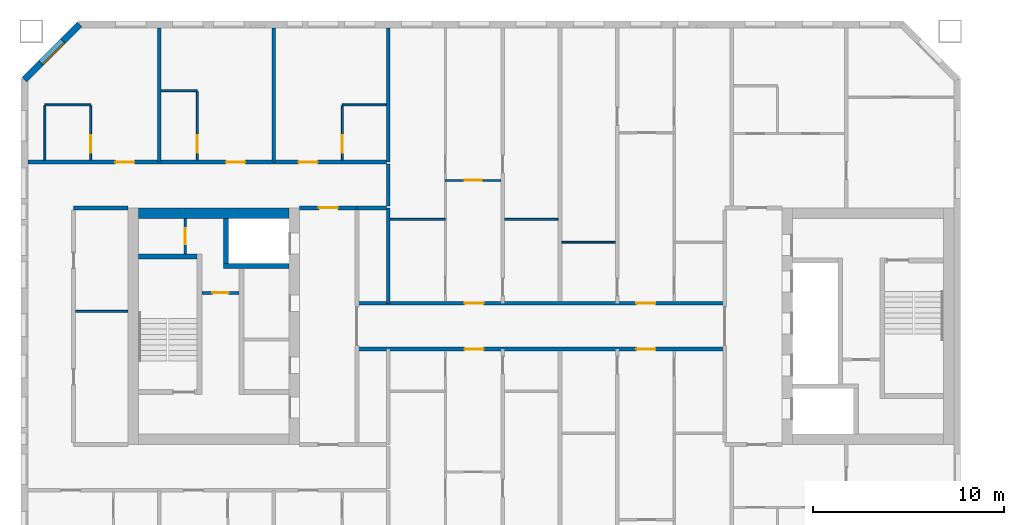
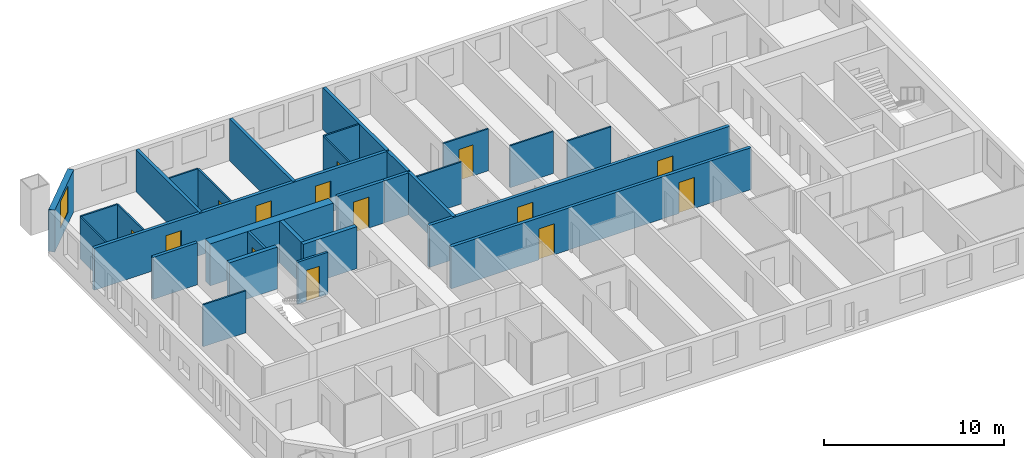
# One storey, part 5 of 16: 30 walls, 14 doors, 1 window, 15 openings.
"""IFC4 building model written with IfcOpenShell, lengths in metres."""

from ifc_helpers import new_model, si_unit, direction, frame, frame_2d, origin, place, context, subcontext, project, spatial, rectangle, extrude, material, layer, layer_set, type_object, element, fill, save


model = new_model("IFC4")

# Units and contexts
model_context = context("Model", 3, precision=1e-05, world=origin(), true_north=direction((0.0, 1.0)))
body_context = subcontext(model_context, "Body", "Model", "MODEL_VIEW")
ifc_project = project(units=[si_unit("LENGTHUNIT", "METRE"), si_unit("AREAUNIT", "SQUARE_METRE"), si_unit("VOLUMEUNIT", "CUBIC_METRE"), si_unit("PLANEANGLEUNIT", "RADIAN"), si_unit("MASSUNIT", "GRAM", prefix="KILO")], contexts=[model_context])

# Site, building, storey
site_placement = place(None, origin())
site = spatial("IfcSite", under=ifc_project, at=site_placement, CompositionType="ELEMENT")
building_placement = place(site_placement, origin())
building = spatial("IfcBuilding", under=site, at=building_placement, Name="Tuart Gate Housing", CompositionType="ELEMENT")
storey_placement = place(building_placement, frame((0.0, 0.0, 129.89990234375)))
storey = spatial("IfcBuildingStorey", under=building, at=storey_placement, Name="L36", CompositionType="ELEMENT", Elevation=129.89990234375)

# Wall, opening, window
ifc_material_1 = material(Name="Brick", Category="masonry")
ifc_layer_1 = layer(ifc_material_1, 0.360107421875)
ifc_layer_set_1 = layer_set([ifc_layer_1], Name="Brick pier and spandrel wall 360")
wall_type_1 = type_object("IfcWallType", Name="Brick pier and spandrel wall 360", PredefinedType="STANDARD", material=ifc_layer_set_1)
wall_1_placement = place(storey_placement, frame((29.82470703125, 85.820068359375, 0.0), z_axis=(0.0, 0.0, 1.0), x_axis=(-0.707106781187, -0.707106781187, 0.0)))
wall_1 = element("IfcWall", 1, at=wall_1_placement, inside=storey, type_object=wall_type_1, Name="External wall A-NW L36", PredefinedType="STANDARD", context=body_context, shape_type="SweptSolid", body=[
    extrude(rectangle(XDim=4.09375, YDim=0.360107421875, at=frame_2d((2.046875, 0.0))), origin(), (0.0, 0.0, 1.0), 2.85009765625),
])
opening_1_placement = place(wall_1_placement, frame((1.2470703125, 0.0, 0.800048828125)))
opening_1 = element("IfcOpeningElement", 2, at=opening_1_placement, cuts=wall_1, Name="Opening W1", PredefinedType="OPENING", context=body_context, shape_type="SweptSolid", body=[
    extrude(rectangle(XDim=1.60009765625, YDim=1.800048828125, at=frame_2d((0.800048828125, 0.89990234375))), frame((0.0, 0.18994140625, 0.0), z_axis=(0.0, -1.0, 0.0), x_axis=(1.0, 0.0, 0.0)), (0.0, 0.0, 1.0), 0.380126953125),
])
ifc_material_2 = material(Name="Aluminium frame with clear glass", Category="aluminium")
window_type = type_object("IfcWindowType", Name="Punched window 1600 x 1800", PartitioningType="SINGLE_PANEL", PredefinedType="WINDOW", material=ifc_material_2)
window_placement = place(opening_1_placement, origin())
window = element("IfcWindow", 3, at=window_placement, inside=storey, type_object=window_type, Name="Window W1", OverallHeight=1.800048828125, OverallWidth=1.60009765625, PartitioningType="SINGLE_PANEL", PredefinedType="WINDOW", context=body_context, shape_type="SweptSolid", body=[
    extrude(rectangle(XDim=1.60009765625, YDim=1.800048828125, at=frame_2d((0.800048828125, 0.89990234375))), frame((0.0, 0.150146484375, 0.0), z_axis=(0.0, -1.0, 0.0), x_axis=(1.0, 0.0, 0.0)), (0.0, 0.0, 1.0), 0.06005859375),
])
fill(opening_1, window)

# Wall, opening, door
ifc_material_3 = material(Name="Plasterboard partition")
ifc_layer_2 = layer(ifc_material_3, 0.14990234375)
ifc_layer_set_2 = layer_set([ifc_layer_2], Name="Core partition 150")
wall_type_2 = type_object("IfcWallType", Name="Core partition 150", PredefinedType="PARTITIONING", material=ifc_layer_set_2)
wall_2_placement = place(storey_placement, frame((38.18505859375, 71.75, 0.0), z_axis=(0.0, 0.0, 1.0), x_axis=(-1.0, 0.0, 0.0)))
wall_2 = element("IfcWall", 4, at=wall_2_placement, inside=storey, type_object=wall_type_2, Name="Core partition AK.3", PredefinedType="PARTITIONING", context=body_context, shape_type="SweptSolid", body=[
    extrude(rectangle(XDim=1.949951171875, YDim=0.14990234375, at=frame_2d((0.97509765625, 0.0))), origin(), (0.0, 0.0, 1.0), 2.85009765625),
])
opening_2_placement = place(wall_2_placement, frame((0.550048828125, 0.0, 0.0)))
opening_2 = element("IfcOpeningElement", 5, at=opening_2_placement, cuts=wall_2, Name="Opening D1314", PredefinedType="OPENING", context=body_context, shape_type="SweptSolid", body=[
    extrude(rectangle(XDim=0.85009765625, YDim=2.10009765625, at=frame_2d((0.425048828125, 1.050048828125))), frame((0.0, 0.0849609375, 0.0), z_axis=(0.0, -1.0, 0.0), x_axis=(1.0, 0.0, 0.0)), (0.0, 0.0, 1.0), 0.169921875),
])
ifc_material_4 = material(Name="Steel fire door", Category="steel")
door_type_1 = type_object("IfcDoorType", Name="Riser door 850 x 2100 RH", OperationType="SINGLE_SWING_RIGHT", PredefinedType="DOOR", material=ifc_material_4)
door_1_placement = place(opening_2_placement, frame((0.85009765625, 0.0, 0.0), z_axis=(0.0, 0.0, 1.0), x_axis=(-1.0, 0.0, 0.0)))
door_1 = element("IfcDoor", 6, at=door_1_placement, inside=storey, type_object=door_type_1, Name="Service room door AK.E1", OperationType="SINGLE_SWING_RIGHT", OverallHeight=2.10009765625, OverallWidth=0.85009765625, PredefinedType="DOOR", context=body_context, shape_type="SweptSolid", body=[
    extrude(rectangle(XDim=0.85009765625, YDim=2.10009765625, at=frame_2d((0.425048828125, 1.050048828125))), frame((0.0, 0.025146484375, 0.0), z_axis=(0.0, -1.0, 0.0), x_axis=(1.0, 0.0, 0.0)), (0.0, 0.0, 1.0), 0.050048828125),
])
fill(opening_2, door_1)

wall_3_placement = place(storey_placement, frame((35.360107421875, 75.64990234375, 0.0), z_axis=(0.0, 0.0, 1.0), x_axis=(0.0, -1.0, 0.0)))
wall_3 = element("IfcWall", 7, at=wall_3_placement, inside=storey, type_object=wall_type_2, Name="Core partition AK.10", PredefinedType="PARTITIONING", context=body_context, shape_type="SweptSolid", body=[
    extrude(rectangle(XDim=1.875, YDim=0.14990234375, at=frame_2d((0.9375, 0.0))), origin(), (0.0, 0.0, 1.0), 2.85009765625),
])
opening_3_placement = place(wall_3_placement, frame((0.512451171875, 0.0, 0.0)))
opening_3 = element("IfcOpeningElement", 8, at=opening_3_placement, cuts=wall_3, Name="Opening D1312", PredefinedType="OPENING", context=body_context, shape_type="SweptSolid", body=[
    extrude(rectangle(XDim=0.85009765625, YDim=2.10009765625, at=frame_2d((0.425048828125, 1.050048828125))), frame((0.0, 0.0849609375, 0.0), z_axis=(0.0, -1.0, 0.0), x_axis=(1.0, 0.0, 0.0)), (0.0, 0.0, 1.0), 0.169921875),
])
ifc_material_5 = material(Name="Steel fire door", Category="steel")
door_type_2 = type_object("IfcDoorType", Name="Service door 850 x 2100", OperationType="SINGLE_SWING_LEFT", PredefinedType="DOOR", material=ifc_material_5)
door_2_placement = place(opening_3_placement, origin())
door_2 = element("IfcDoor", 9, at=door_2_placement, inside=storey, type_object=door_type_2, Name="Service room door AK.E2", OperationType="SINGLE_SWING_LEFT", OverallHeight=2.10009765625, OverallWidth=0.85009765625, PredefinedType="DOOR", context=body_context, shape_type="SweptSolid", body=[
    extrude(rectangle(XDim=0.85009765625, YDim=2.10009765625, at=frame_2d((0.425048828125, 1.050048828125))), frame((0.0, 0.02490234375, 0.0), z_axis=(0.0, -1.0, 0.0), x_axis=(1.0, 0.0, 0.0)), (0.0, 0.0, 1.0), 0.050048828125),
])
fill(opening_3, door_2)

# Walls
ifc_material_6 = material(Name="Concrete C50", Category="concrete")
ifc_layer_3 = layer(ifc_material_6, 0.25)
ifc_layer_set_3 = layer_set([ifc_layer_3], Name="Core wall 250 C50")
wall_type_3 = type_object("IfcWallType", Name="Core wall 250 C50", PredefinedType="SHEAR", material=ifc_layer_set_3)
wall_4_placement = place(storey_placement, frame((35.985107421875, 73.64990234375, 0.0), z_axis=(0.0, 0.0, 1.0), x_axis=(-1.0, 0.0, 0.0)))
element("IfcWall", 10, at=wall_4_placement, inside=storey, type_object=wall_type_3, Name="Core wall AK.1", PredefinedType="SHEAR", context=body_context, shape_type="SweptSolid", body=[
    extrude(rectangle(XDim=3.0751953125, YDim=0.25, at=frame_2d((1.53759765625, 0.0))), origin(), (0.0, 0.0, 1.0), 2.85009765625),
])
wall_5_placement = place(storey_placement, frame((40.81005859375, 73.14990234375, 0.0), z_axis=(0.0, 0.0, 1.0), x_axis=(-1.0, 0.0, 0.0)))
element("IfcWall", 11, at=wall_5_placement, inside=storey, type_object=wall_type_3, Name="Core wall AK.2", PredefinedType="SHEAR", context=body_context, shape_type="SweptSolid", body=[
    extrude(rectangle(XDim=3.445068359375, YDim=0.25, at=frame_2d((1.72265625, 0.0))), origin(), (0.0, 0.0, 1.0), 2.85009765625),
])
wall_6_placement = place(storey_placement, frame((37.489990234375, 75.64990234375, 0.0), z_axis=(0.0, 0.0, 1.0), x_axis=(0.0, -1.0, 0.0)))
element("IfcWall", 12, at=wall_6_placement, inside=storey, type_object=wall_type_3, Name="Core wall AK.8", PredefinedType="SHEAR", context=body_context, shape_type="SweptSolid", body=[
    extrude(rectangle(XDim=2.375, YDim=0.25, at=frame_2d((1.1875, 0.0))), origin(), (0.0, 0.0, 1.0), 2.85009765625),
])
ifc_material_7 = material(Name="Concrete C50", Category="concrete")
ifc_layer_4 = layer(ifc_material_7, 0.550048828125)
ifc_layer_set_4 = layer_set([ifc_layer_4], Name="Core wall 550 C50")
wall_type_4 = type_object("IfcWallType", Name="Core wall 550 C50", PredefinedType="SHEAR", material=ifc_layer_set_4)
wall_7_placement = place(storey_placement, frame((40.81005859375, 75.925048828125, 0.0), z_axis=(0.0, 0.0, 1.0), x_axis=(-1.0, 0.0, 0.0)))
element("IfcWall", 13, at=wall_7_placement, inside=storey, type_object=wall_type_4, Name="Core wall AK south", PredefinedType="SHEAR", context=body_context, shape_type="SweptSolid", body=[
    extrude(rectangle(XDim=7.900146484375, YDim=0.550048828125, at=frame_2d((3.9501953125, 0.0))), origin(), (0.0, 0.0, 1.0), 2.85009765625),
])

# Wall, openings, doors
ifc_material_8 = material(Name="Concrete masonry 15 MPa", Category="masonry")
ifc_layer_5 = layer(ifc_material_8, 0.199951171875)
ifc_layer_set_5 = layer_set([ifc_layer_5], Name="Corridor wall masonry 200")
wall_type_5 = type_object("IfcWallType", Name="Corridor wall masonry 200", PredefinedType="PARTITIONING", material=ifc_layer_set_5)
wall_8_placement = place(storey_placement, frame((44.360107421875, 68.800048828125, 0.0), z_axis=(0.0, 0.0, 1.0), x_axis=(1.0, 0.0, 0.0)))
wall_8 = element("IfcWall", 14, at=wall_8_placement, inside=storey, type_object=wall_type_5, Name="Corridor wall masonry 200", PredefinedType="PARTITIONING", context=body_context, shape_type="SweptSolid", body=[
    extrude(rectangle(XDim=19.27978515625, YDim=0.199951171875, at=frame_2d((9.639892578125, 0.0))), origin(), (0.0, 0.0, 1.0), 2.85009765625),
])
opening_4_placement = place(wall_8_placement, frame((14.639892578125, 0.0, 0.0)))
opening_4 = element("IfcOpeningElement", 15, at=opening_4_placement, cuts=wall_8, Name="Opening D1325", PredefinedType="OPENING", context=body_context, shape_type="SweptSolid", body=[
    extrude(rectangle(XDim=1.0, YDim=2.10009765625, at=frame_2d((0.5, 1.050048828125))), frame((0.0, 0.10986328125, 0.0), z_axis=(0.0, -1.0, 0.0), x_axis=(1.0, 0.0, 0.0)), (0.0, 0.0, 1.0), 0.219970703125),
])
opening_5_placement = place(wall_8_placement, frame((5.639892578125, 0.0, 0.0)))
opening_5 = element("IfcOpeningElement", 16, at=opening_5_placement, cuts=wall_8, Name="Opening D1326", PredefinedType="OPENING", context=body_context, shape_type="SweptSolid", body=[
    extrude(rectangle(XDim=1.0, YDim=2.10009765625, at=frame_2d((0.5, 1.050048828125))), frame((0.0, 0.10986328125, 0.0), z_axis=(0.0, -1.0, 0.0), x_axis=(1.0, 0.0, 0.0)), (0.0, 0.0, 1.0), 0.219970703125),
])
ifc_material_9 = material(Name="Timber door leaf in steel frame", Category="steel")
door_type_3 = type_object("IfcDoorType", Name="Flat entrance door 1000 RH", OperationType="SINGLE_SWING_RIGHT", PredefinedType="DOOR", material=ifc_material_9)
door_3_placement = place(opening_4_placement, frame((1.0, 0.0, 0.0), z_axis=(0.0, 0.0, 1.0), x_axis=(-1.0, 0.0, 0.0)))
door_3 = element("IfcDoor", 17, at=door_3_placement, inside=storey, type_object=door_type_3, Name="Flat entrance door", OperationType="SINGLE_SWING_RIGHT", OverallHeight=2.10009765625, OverallWidth=1.0, PredefinedType="DOOR", context=body_context, shape_type="SweptSolid", body=[
    extrude(rectangle(XDim=1.0, YDim=2.10009765625, at=frame_2d((0.5, 1.050048828125))), frame((0.0, 0.025146484375, 0.0), z_axis=(0.0, -1.0, 0.0), x_axis=(1.0, 0.0, 0.0)), (0.0, 0.0, 1.0), 0.050048828125),
])
fill(opening_4, door_3)
door_4_placement = place(opening_5_placement, frame((1.0, 0.0, 0.0), z_axis=(0.0, 0.0, 1.0), x_axis=(-1.0, 0.0, 0.0)))
door_4 = element("IfcDoor", 18, at=door_4_placement, inside=storey, type_object=door_type_3, Name="Flat entrance door", OperationType="SINGLE_SWING_RIGHT", OverallHeight=2.10009765625, OverallWidth=1.0, PredefinedType="DOOR", context=body_context, shape_type="SweptSolid", body=[
    extrude(rectangle(XDim=1.0, YDim=2.10009765625, at=frame_2d((0.5, 1.050048828125))), frame((0.0, 0.025146484375, 0.0), z_axis=(0.0, -1.0, 0.0), x_axis=(1.0, 0.0, 0.0)), (0.0, 0.0, 1.0), 0.050048828125),
])
fill(opening_5, door_4)

wall_9_placement = place(storey_placement, frame((44.360107421875, 71.199951171875, 0.0), z_axis=(0.0, 0.0, 1.0), x_axis=(1.0, 0.0, 0.0)))
wall_9 = element("IfcWall", 19, at=wall_9_placement, inside=storey, type_object=wall_type_5, Name="Corridor wall masonry 200", PredefinedType="PARTITIONING", context=body_context, shape_type="SweptSolid", body=[
    extrude(rectangle(XDim=19.27978515625, YDim=0.199951171875, at=frame_2d((9.639892578125, 0.0))), origin(), (0.0, 0.0, 1.0), 2.85009765625),
])
opening_6_placement = place(wall_9_placement, frame((14.639892578125, 0.0, 0.0)))
opening_6 = element("IfcOpeningElement", 20, at=opening_6_placement, cuts=wall_9, Name="Opening D1315", PredefinedType="OPENING", context=body_context, shape_type="SweptSolid", body=[
    extrude(rectangle(XDim=1.0, YDim=2.10009765625, at=frame_2d((0.5, 1.050048828125))), frame((0.0, 0.10986328125, 0.0), z_axis=(0.0, -1.0, 0.0), x_axis=(1.0, 0.0, 0.0)), (0.0, 0.0, 1.0), 0.219970703125),
])
opening_7_placement = place(wall_9_placement, frame((5.639892578125, 0.0, 0.0)))
opening_7 = element("IfcOpeningElement", 21, at=opening_7_placement, cuts=wall_9, Name="Opening D1316", PredefinedType="OPENING", context=body_context, shape_type="SweptSolid", body=[
    extrude(rectangle(XDim=1.0, YDim=2.10009765625, at=frame_2d((0.5, 1.050048828125))), frame((0.0, 0.10986328125, 0.0), z_axis=(0.0, -1.0, 0.0), x_axis=(1.0, 0.0, 0.0)), (0.0, 0.0, 1.0), 0.219970703125),
])
ifc_material_10 = material(Name="Timber door leaf in steel frame", Category="steel")
door_type_4 = type_object("IfcDoorType", Name="Flat entrance door 1000", OperationType="SINGLE_SWING_LEFT", PredefinedType="DOOR", material=ifc_material_10)
door_5_placement = place(opening_6_placement, origin())
door_5 = element("IfcDoor", 22, at=door_5_placement, inside=storey, type_object=door_type_4, Name="Flat entrance door", OperationType="SINGLE_SWING_LEFT", OverallHeight=2.10009765625, OverallWidth=1.0, PredefinedType="DOOR", context=body_context, shape_type="SweptSolid", body=[
    extrude(rectangle(XDim=1.0, YDim=2.10009765625, at=frame_2d((0.5, 1.050048828125))), frame((0.0, 0.02490234375, 0.0), z_axis=(0.0, -1.0, 0.0), x_axis=(1.0, 0.0, 0.0)), (0.0, 0.0, 1.0), 0.050048828125),
])
fill(opening_6, door_5)
door_6_placement = place(opening_7_placement, origin())
door_6 = element("IfcDoor", 23, at=door_6_placement, inside=storey, type_object=door_type_4, Name="Flat entrance door", OperationType="SINGLE_SWING_LEFT", OverallHeight=2.10009765625, OverallWidth=1.0, PredefinedType="DOOR", context=body_context, shape_type="SweptSolid", body=[
    extrude(rectangle(XDim=1.0, YDim=2.10009765625, at=frame_2d((0.5, 1.050048828125))), frame((0.0, 0.02490234375, 0.0), z_axis=(0.0, -1.0, 0.0), x_axis=(1.0, 0.0, 0.0)), (0.0, 0.0, 1.0), 0.050048828125),
])
fill(opening_7, door_6)

# Walls
wall_10_placement = place(storey_placement, frame((29.510009765625, 76.199951171875, 0.0), z_axis=(0.0, 0.0, 1.0), x_axis=(1.0, 0.0, 0.0)))
element("IfcWall", 24, at=wall_10_placement, inside=storey, type_object=wall_type_5, Name="Corridor wall masonry 200", PredefinedType="PARTITIONING", context=body_context, shape_type="SweptSolid", body=[
    extrude(rectangle(XDim=2.85009765625, YDim=0.199951171875, at=frame_2d((1.425048828125, 0.0))), origin(), (0.0, 0.0, 1.0), 2.85009765625),
])
wall_11_placement = place(storey_placement, frame((44.360107421875, 76.199951171875, 0.0), z_axis=(0.0, 0.0, 1.0), x_axis=(1.0, 0.0, 0.0)))
element("IfcWall", 25, at=wall_11_placement, inside=storey, type_object=wall_type_5, Name="Corridor wall masonry 200", PredefinedType="PARTITIONING", context=body_context, shape_type="SweptSolid", body=[
    extrude(rectangle(XDim=1.539794921875, YDim=0.199951171875, at=frame_2d((0.77001953125, 0.0))), origin(), (0.0, 0.0, 1.0), 2.85009765625),
])

# Wall, openings, doors
wall_12_placement = place(storey_placement, frame((27.110107421875, 78.60009765625, 0.0), z_axis=(0.0, 0.0, 1.0), x_axis=(1.0, 0.0, 0.0)))
wall_12 = element("IfcWall", 26, at=wall_12_placement, inside=storey, type_object=wall_type_5, Name="Corridor wall masonry 200", PredefinedType="PARTITIONING", context=body_context, shape_type="SweptSolid", body=[
    extrude(rectangle(XDim=18.789794921875, YDim=0.199951171875, at=frame_2d((9.39501953125, 0.0))), origin(), (0.0, 0.0, 1.0), 2.85009765625),
])
opening_8_placement = place(wall_12_placement, frame((14.18994140625, 0.0, 0.0)))
opening_8 = element("IfcOpeningElement", 27, at=opening_8_placement, cuts=wall_12, Name="Opening D1298", PredefinedType="OPENING", context=body_context, shape_type="SweptSolid", body=[
    extrude(rectangle(XDim=1.0, YDim=2.10009765625, at=frame_2d((0.5, 1.050048828125))), frame((0.0, 0.10986328125, 0.0), z_axis=(0.0, -1.0, 0.0), x_axis=(1.0, 0.0, 0.0)), (0.0, 0.0, 1.0), 0.219970703125),
])
opening_9_placement = place(wall_12_placement, frame((10.389892578125, 0.0, 0.0)))
opening_9 = element("IfcOpeningElement", 28, at=opening_9_placement, cuts=wall_12, Name="Opening D1299", PredefinedType="OPENING", context=body_context, shape_type="SweptSolid", body=[
    extrude(rectangle(XDim=1.0, YDim=2.10009765625, at=frame_2d((0.5, 1.050048828125))), frame((0.0, 0.10986328125, 0.0), z_axis=(0.0, -1.0, 0.0), x_axis=(1.0, 0.0, 0.0)), (0.0, 0.0, 1.0), 0.219970703125),
])
opening_10_placement = place(wall_12_placement, frame((4.590087890625, 0.0, 0.0)))
opening_10 = element("IfcOpeningElement", 29, at=opening_10_placement, cuts=wall_12, Name="Opening D1300", PredefinedType="OPENING", context=body_context, shape_type="SweptSolid", body=[
    extrude(rectangle(XDim=1.0, YDim=2.10009765625, at=frame_2d((0.5, 1.050048828125))), frame((0.0, 0.10986328125, 0.0), z_axis=(0.0, -1.0, 0.0), x_axis=(1.0, 0.0, 0.0)), (0.0, 0.0, 1.0), 0.219970703125),
])
door_7_placement = place(opening_8_placement, origin())
door_7 = element("IfcDoor", 30, at=door_7_placement, inside=storey, type_object=door_type_4, Name="Flat entrance door", OperationType="SINGLE_SWING_LEFT", OverallHeight=2.10009765625, OverallWidth=1.0, PredefinedType="DOOR", context=body_context, shape_type="SweptSolid", body=[
    extrude(rectangle(XDim=1.0, YDim=2.10009765625, at=frame_2d((0.5, 1.050048828125))), frame((0.0, 0.02490234375, 0.0), z_axis=(0.0, -1.0, 0.0), x_axis=(1.0, 0.0, 0.0)), (0.0, 0.0, 1.0), 0.050048828125),
])
fill(opening_8, door_7)
door_8_placement = place(opening_9_placement, origin())
door_8 = element("IfcDoor", 31, at=door_8_placement, inside=storey, type_object=door_type_4, Name="Flat entrance door", OperationType="SINGLE_SWING_LEFT", OverallHeight=2.10009765625, OverallWidth=1.0, PredefinedType="DOOR", context=body_context, shape_type="SweptSolid", body=[
    extrude(rectangle(XDim=1.0, YDim=2.10009765625, at=frame_2d((0.5, 1.050048828125))), frame((0.0, 0.02490234375, 0.0), z_axis=(0.0, -1.0, 0.0), x_axis=(1.0, 0.0, 0.0)), (0.0, 0.0, 1.0), 0.050048828125),
])
fill(opening_9, door_8)
door_9_placement = place(opening_10_placement, origin())
door_9 = element("IfcDoor", 32, at=door_9_placement, inside=storey, type_object=door_type_4, Name="Flat entrance door", OperationType="SINGLE_SWING_LEFT", OverallHeight=2.10009765625, OverallWidth=1.0, PredefinedType="DOOR", context=body_context, shape_type="SweptSolid", body=[
    extrude(rectangle(XDim=1.0, YDim=2.10009765625, at=frame_2d((0.5, 1.050048828125))), frame((0.0, 0.02490234375, 0.0), z_axis=(0.0, -1.0, 0.0), x_axis=(1.0, 0.0, 0.0)), (0.0, 0.0, 1.0), 0.050048828125),
])
fill(opening_10, door_9)

# Wall
wall_13_placement = place(storey_placement, frame((46.0, 76.300048828125, 0.0), z_axis=(0.0, 0.0, 1.0), x_axis=(0.0, 1.0, 0.0)))
element("IfcWall", 33, at=wall_13_placement, inside=storey, type_object=wall_type_5, Name="Corridor wall masonry 200", PredefinedType="PARTITIONING", context=body_context, shape_type="SweptSolid", body=[
    extrude(rectangle(XDim=2.199951171875, YDim=0.199951171875, at=frame_2d((1.10009765625, 0.0))), origin(), (0.0, 0.0, 1.0), 2.85009765625),
])

# Wall, opening, door
ifc_material_11 = material(Name="Concrete masonry 15 MPa", Category="masonry")
ifc_layer_6 = layer(ifc_material_11, 0.199951171875)
ifc_layer_set_6 = layer_set([ifc_layer_6], Name="Enclosure wall masonry 200")
wall_type_6 = type_object("IfcWallType", Name="Enclosure wall masonry 200", PredefinedType="PARTITIONING", material=ifc_layer_set_6)
wall_14_placement = place(storey_placement, frame((41.360107421875, 76.199951171875, 0.0), z_axis=(0.0, 0.0, 1.0), x_axis=(1.0, 0.0, 0.0)))
wall_14 = element("IfcWall", 34, at=wall_14_placement, inside=storey, type_object=wall_type_6, Name="Enclosure wall masonry 200", PredefinedType="PARTITIONING", context=body_context, shape_type="SweptSolid", body=[
    extrude(rectangle(XDim=3.0, YDim=0.199951171875, at=frame_2d((1.5, 0.0))), origin(), (0.0, 0.0, 1.0), 2.85009765625),
])
opening_11_placement = place(wall_14_placement, frame((1.0, 0.0, 0.0)))
opening_11 = element("IfcOpeningElement", 35, at=opening_11_placement, cuts=wall_14, Name="Opening D1310", PredefinedType="OPENING", context=body_context, shape_type="SweptSolid", body=[
    extrude(rectangle(XDim=1.0, YDim=2.10009765625, at=frame_2d((0.5, 1.050048828125))), frame((0.0, 0.10986328125, 0.0), z_axis=(0.0, -1.0, 0.0), x_axis=(1.0, 0.0, 0.0)), (0.0, 0.0, 1.0), 0.219970703125),
])
ifc_material_12 = material(Name="Timber door leaf in steel frame", Category="steel")
door_type_5 = type_object("IfcDoorType", Name="Fire door 1000 RH", OperationType="SINGLE_SWING_RIGHT", PredefinedType="DOOR", material=ifc_material_12)
door_10_placement = place(opening_11_placement, origin())
door_10 = element("IfcDoor", 36, at=door_10_placement, inside=storey, type_object=door_type_5, Name="Fire door", OperationType="SINGLE_SWING_RIGHT", OverallHeight=2.10009765625, OverallWidth=1.0, PredefinedType="DOOR", context=body_context, shape_type="SweptSolid", body=[
    extrude(rectangle(XDim=1.0, YDim=2.10009765625, at=frame_2d((0.5, 1.050048828125))), frame((0.0, 0.02490234375, 0.0), z_axis=(0.0, -1.0, 0.0), x_axis=(1.0, 0.0, 0.0)), (0.0, 0.0, 1.0), 0.050048828125),
])
fill(opening_11, door_10)

# Walls
ifc_material_13 = material(Name="Gypsum board on steel studs", Category="steel")
ifc_layer_7 = layer(ifc_material_13, 0.10009765625)
ifc_layer_set_7 = layer_set([ifc_layer_7], Name="Partition 100")
wall_type_7 = type_object("IfcWallType", Name="Partition 100", PredefinedType="PARTITIONING", material=ifc_layer_set_7)
wall_15_placement = place(storey_placement, frame((29.610107421875, 70.780029296875, 0.0), z_axis=(0.0, 0.0, 1.0), x_axis=(1.0, 0.0, 0.0)))
element("IfcWall", 37, at=wall_15_placement, inside=storey, type_object=wall_type_7, Name="Partition 100", PredefinedType="PARTITIONING", context=body_context, shape_type="SweptSolid", body=[
    extrude(rectangle(XDim=2.75, YDim=0.10009765625, at=frame_2d((1.375, 0.0))), origin(), (0.0, 0.0, 1.0), 2.85009765625),
])
wall_16_placement = place(storey_placement, frame((55.10009765625, 74.39990234375, 0.0), z_axis=(0.0, 0.0, 1.0), x_axis=(1.0, 0.0, 0.0)))
element("IfcWall", 38, at=wall_16_placement, inside=storey, type_object=wall_type_7, Name="Partition 100", PredefinedType="PARTITIONING", context=body_context, shape_type="SweptSolid", body=[
    extrude(rectangle(XDim=2.7998046875, YDim=0.10009765625, at=frame_2d((1.39990234375, 0.0))), origin(), (0.0, 0.0, 1.0), 2.85009765625),
])
wall_17_placement = place(storey_placement, frame((46.10009765625, 75.60009765625, 0.0), z_axis=(0.0, 0.0, 1.0), x_axis=(1.0, 0.0, 0.0)))
element("IfcWall", 39, at=wall_17_placement, inside=storey, type_object=wall_type_7, Name="Partition 100", PredefinedType="PARTITIONING", context=body_context, shape_type="SweptSolid", body=[
    extrude(rectangle(XDim=2.89990234375, YDim=0.10009765625, at=frame_2d((1.449951171875, 0.0))), origin(), (0.0, 0.0, 1.0), 2.85009765625),
])
wall_18_placement = place(storey_placement, frame((52.10009765625, 75.60009765625, 0.0), z_axis=(0.0, 0.0, 1.0), x_axis=(1.0, 0.0, 0.0)))
element("IfcWall", 40, at=wall_18_placement, inside=storey, type_object=wall_type_7, Name="Partition 100", PredefinedType="PARTITIONING", context=body_context, shape_type="SweptSolid", body=[
    extrude(rectangle(XDim=2.7998046875, YDim=0.10009765625, at=frame_2d((1.39990234375, 0.0))), origin(), (0.0, 0.0, 1.0), 2.85009765625),
])

# Wall, opening, door
wall_19_placement = place(storey_placement, frame((49.0, 77.639892578125, 0.0), z_axis=(0.0, 0.0, 1.0), x_axis=(1.0, 0.0, 0.0)))
wall_19 = element("IfcWall", 41, at=wall_19_placement, inside=storey, type_object=wall_type_7, Name="Partition 100", PredefinedType="PARTITIONING", context=body_context, shape_type="SweptSolid", body=[
    extrude(rectangle(XDim=2.89990234375, YDim=0.10009765625, at=frame_2d((1.449951171875, 0.0))), origin(), (0.0, 0.0, 1.0), 2.85009765625),
])
opening_12_placement = place(wall_19_placement, frame((1.0, 0.0, 0.0)))
opening_12 = element("IfcOpeningElement", 42, at=opening_12_placement, cuts=wall_19, Name="Opening D1309", PredefinedType="OPENING", context=body_context, shape_type="SweptSolid", body=[
    extrude(rectangle(XDim=0.89990234375, YDim=2.10009765625, at=frame_2d((0.449951171875, 1.050048828125))), frame((0.0, 0.06005859375, 0.0), z_axis=(0.0, -1.0, 0.0), x_axis=(1.0, 0.0, 0.0)), (0.0, 0.0, 1.0), 0.1201171875),
])
ifc_material_14 = material(Name="Timber door leaf in steel frame", Category="steel")
door_type_6 = type_object("IfcDoorType", Name="Internal door 900 RH", OperationType="SINGLE_SWING_RIGHT", PredefinedType="DOOR", material=ifc_material_14)
door_11_placement = place(opening_12_placement, frame((0.89990234375, 0.0, 0.0), z_axis=(0.0, 0.0, 1.0), x_axis=(-1.0, 0.0, 0.0)))
door_11 = element("IfcDoor", 43, at=door_11_placement, inside=storey, type_object=door_type_6, Name="Internal door", OperationType="SINGLE_SWING_RIGHT", OverallHeight=2.10009765625, OverallWidth=0.89990234375, PredefinedType="DOOR", context=body_context, shape_type="SweptSolid", body=[
    extrude(rectangle(XDim=0.89990234375, YDim=2.10009765625, at=frame_2d((0.449951171875, 1.050048828125))), frame((0.0, 0.025146484375, 0.0), z_axis=(0.0, -1.0, 0.0), x_axis=(1.0, 0.0, 0.0)), (0.0, 0.0, 1.0), 0.050048828125),
])
fill(opening_12, door_11)

# Walls
wall_20_placement = place(storey_placement, frame((28.0, 81.60009765625, 0.0), z_axis=(0.0, 0.0, 1.0), x_axis=(1.0, 0.0, 0.0)))
element("IfcWall", 44, at=wall_20_placement, inside=storey, type_object=wall_type_7, Name="Partition 100", PredefinedType="PARTITIONING", context=body_context, shape_type="SweptSolid", body=[
    extrude(rectangle(XDim=2.39990234375, YDim=0.10009765625, at=frame_2d((1.199951171875, 0.0))), origin(), (0.0, 0.0, 1.0), 2.85009765625),
])
wall_21_placement = place(storey_placement, frame((43.60009765625, 81.60009765625, 0.0), z_axis=(0.0, 0.0, 1.0), x_axis=(1.0, 0.0, 0.0)))
element("IfcWall", 45, at=wall_21_placement, inside=storey, type_object=wall_type_7, Name="Partition 100", PredefinedType="PARTITIONING", context=body_context, shape_type="SweptSolid", body=[
    extrude(rectangle(XDim=2.2998046875, YDim=0.10009765625, at=frame_2d((1.14990234375, 0.0))), origin(), (0.0, 0.0, 1.0), 2.85009765625),
])
wall_22_placement = place(storey_placement, frame((34.10009765625, 82.35009765625, 0.0), z_axis=(0.0, 0.0, 1.0), x_axis=(1.0, 0.0, 0.0)))
element("IfcWall", 46, at=wall_22_placement, inside=storey, type_object=wall_type_7, Name="Partition 100", PredefinedType="PARTITIONING", context=body_context, shape_type="SweptSolid", body=[
    extrude(rectangle(XDim=1.89990234375, YDim=0.10009765625, at=frame_2d((0.949951171875, 0.0))), origin(), (0.0, 0.0, 1.0), 2.85009765625),
])
wall_23_placement = place(storey_placement, frame((28.0, 78.699951171875, 0.0), z_axis=(0.0, 0.0, 1.0), x_axis=(0.0, 1.0, 0.0)))
element("IfcWall", 47, at=wall_23_placement, inside=storey, type_object=wall_type_7, Name="Partition 100", PredefinedType="PARTITIONING", context=body_context, shape_type="SweptSolid", body=[
    extrude(rectangle(XDim=2.85009765625, YDim=0.10009765625, at=frame_2d((1.425048828125, 0.0))), origin(), (0.0, 0.0, 1.0), 2.85009765625),
])

# Wall, opening, door
wall_24_placement = place(storey_placement, frame((30.39990234375, 78.699951171875, 0.0), z_axis=(0.0, 0.0, 1.0), x_axis=(0.0, 1.0, 0.0)))
wall_24 = element("IfcWall", 48, at=wall_24_placement, inside=storey, type_object=wall_type_7, Name="Partition 100", PredefinedType="PARTITIONING", context=body_context, shape_type="SweptSolid", body=[
    extrude(rectangle(XDim=2.85009765625, YDim=0.10009765625, at=frame_2d((1.425048828125, 0.0))), origin(), (0.0, 0.0, 1.0), 2.85009765625),
])
opening_13_placement = place(wall_24_placement, frame((0.39990234375, 0.0, 0.0)))
opening_13 = element("IfcOpeningElement", 49, at=opening_13_placement, cuts=wall_24, Name="Opening D1294", PredefinedType="OPENING", context=body_context, shape_type="SweptSolid", body=[
    extrude(rectangle(XDim=0.89990234375, YDim=2.10009765625, at=frame_2d((0.449951171875, 1.050048828125))), frame((0.0, 0.06005859375, 0.0), z_axis=(0.0, -1.0, 0.0), x_axis=(1.0, 0.0, 0.0)), (0.0, 0.0, 1.0), 0.1201171875),
])
ifc_material_15 = material(Name="Timber door leaf in steel frame", Category="steel")
door_type_7 = type_object("IfcDoorType", Name="Bathroom door 900", OperationType="SINGLE_SWING_LEFT", PredefinedType="DOOR", material=ifc_material_15)
door_12_placement = place(opening_13_placement, origin())
door_12 = element("IfcDoor", 50, at=door_12_placement, inside=storey, type_object=door_type_7, Name="Bathroom door", OperationType="SINGLE_SWING_LEFT", OverallHeight=2.10009765625, OverallWidth=0.89990234375, PredefinedType="DOOR", context=body_context, shape_type="SweptSolid", body=[
    extrude(rectangle(XDim=0.89990234375, YDim=2.10009765625, at=frame_2d((0.449951171875, 1.050048828125))), frame((0.0, 0.02490234375, 0.0), z_axis=(0.0, -1.0, 0.0), x_axis=(1.0, 0.0, 0.0)), (0.0, 0.0, 1.0), 0.050048828125),
])
fill(opening_13, door_12)

wall_25_placement = place(storey_placement, frame((36.0, 78.699951171875, 0.0), z_axis=(0.0, 0.0, 1.0), x_axis=(0.0, 1.0, 0.0)))
wall_25 = element("IfcWall", 51, at=wall_25_placement, inside=storey, type_object=wall_type_7, Name="Partition 100", PredefinedType="PARTITIONING", context=body_context, shape_type="SweptSolid", body=[
    extrude(rectangle(XDim=3.60009765625, YDim=0.10009765625, at=frame_2d((1.800048828125, 0.0))), origin(), (0.0, 0.0, 1.0), 2.85009765625),
])
opening_14_placement = place(wall_25_placement, frame((0.39990234375, 0.0, 0.0)))
opening_14 = element("IfcOpeningElement", 52, at=opening_14_placement, cuts=wall_25, Name="Opening D1292", PredefinedType="OPENING", context=body_context, shape_type="SweptSolid", body=[
    extrude(rectangle(XDim=0.89990234375, YDim=2.10009765625, at=frame_2d((0.449951171875, 1.050048828125))), frame((0.0, 0.06005859375, 0.0), z_axis=(0.0, -1.0, 0.0), x_axis=(1.0, 0.0, 0.0)), (0.0, 0.0, 1.0), 0.1201171875),
])
door_13_placement = place(opening_14_placement, origin())
door_13 = element("IfcDoor", 53, at=door_13_placement, inside=storey, type_object=door_type_7, Name="Bathroom door", OperationType="SINGLE_SWING_LEFT", OverallHeight=2.10009765625, OverallWidth=0.89990234375, PredefinedType="DOOR", context=body_context, shape_type="SweptSolid", body=[
    extrude(rectangle(XDim=0.89990234375, YDim=2.10009765625, at=frame_2d((0.449951171875, 1.050048828125))), frame((0.0, 0.02490234375, 0.0), z_axis=(0.0, -1.0, 0.0), x_axis=(1.0, 0.0, 0.0)), (0.0, 0.0, 1.0), 0.050048828125),
])
fill(opening_14, door_13)

wall_26_placement = place(storey_placement, frame((43.60009765625, 78.699951171875, 0.0), z_axis=(0.0, 0.0, 1.0), x_axis=(0.0, 1.0, 0.0)))
wall_26 = element("IfcWall", 54, at=wall_26_placement, inside=storey, type_object=wall_type_7, Name="Partition 100", PredefinedType="PARTITIONING", context=body_context, shape_type="SweptSolid", body=[
    extrude(rectangle(XDim=2.85009765625, YDim=0.10009765625, at=frame_2d((1.425048828125, 0.0))), origin(), (0.0, 0.0, 1.0), 2.85009765625),
])
opening_15_placement = place(wall_26_placement, frame((0.39990234375, 0.0, 0.0)))
opening_15 = element("IfcOpeningElement", 55, at=opening_15_placement, cuts=wall_26, Name="Opening D1295", PredefinedType="OPENING", context=body_context, shape_type="SweptSolid", body=[
    extrude(rectangle(XDim=0.89990234375, YDim=2.10009765625, at=frame_2d((0.449951171875, 1.050048828125))), frame((0.0, 0.06005859375, 0.0), z_axis=(0.0, -1.0, 0.0), x_axis=(1.0, 0.0, 0.0)), (0.0, 0.0, 1.0), 0.1201171875),
])
ifc_material_16 = material(Name="Timber door leaf in steel frame", Category="steel")
door_type_8 = type_object("IfcDoorType", Name="Bathroom door 900 RH", OperationType="SINGLE_SWING_RIGHT", PredefinedType="DOOR", material=ifc_material_16)
door_14_placement = place(opening_15_placement, frame((0.89990234375, 0.0, 0.0), z_axis=(0.0, 0.0, 1.0), x_axis=(-1.0, 0.0, 0.0)))
door_14 = element("IfcDoor", 56, at=door_14_placement, inside=storey, type_object=door_type_8, Name="Bathroom door", OperationType="SINGLE_SWING_RIGHT", OverallHeight=2.10009765625, OverallWidth=0.89990234375, PredefinedType="DOOR", context=body_context, shape_type="SweptSolid", body=[
    extrude(rectangle(XDim=0.89990234375, YDim=2.10009765625, at=frame_2d((0.449951171875, 1.050048828125))), frame((0.0, 0.025146484375, 0.0), z_axis=(0.0, -1.0, 0.0), x_axis=(1.0, 0.0, 0.0)), (0.0, 0.0, 1.0), 0.050048828125),
])
fill(opening_15, door_14)

# Walls
ifc_material_17 = material(Name="Concrete C40", Category="concrete")
ifc_layer_8 = layer(ifc_material_17, 0.199951171875)
ifc_layer_set_8 = layer_set([ifc_layer_8], Name="Party wall concrete C40 200")
wall_type_8 = type_object("IfcWallType", Name="Party wall concrete C40 200", PredefinedType="SOLIDWALL", material=ifc_layer_set_8)
for number, where, z_axis, x_axis, name in (
    (57, (34.0, 78.60009765625, 0.0), (0.0, 0.0, 1.0), (0.0, 1.0, 0.0), "Party wall concrete C40 200"),
    (58, (40.0, 78.60009765625, 0.0), (0.0, 0.0, 1.0), (0.0, 1.0, 0.0), "Party wall concrete C40 200"),
):
    element("IfcWall", number, at=place(storey_placement, frame(where, z_axis=z_axis, x_axis=x_axis)), inside=storey, type_object=wall_type_8, Name=name, PredefinedType="SOLIDWALL", context=body_context, shape_type="SweptSolid", body=[
        extrude(rectangle(XDim=7.039794921875, YDim=0.199951171875, at=frame_2d((3.52001953125, 0.0))), origin(), (0.0, 0.0, 1.0), 2.85009765625),
    ])
wall_27_placement = place(storey_placement, frame((46.0, 71.199951171875, 0.0), z_axis=(0.0, 0.0, 1.0), x_axis=(0.0, 1.0, 0.0)))
element("IfcWall", 59, at=wall_27_placement, inside=storey, type_object=wall_type_8, Name="Party wall concrete C40 200", PredefinedType="SOLIDWALL", context=body_context, shape_type="SweptSolid", body=[
    extrude(rectangle(XDim=5.0, YDim=0.199951171875, at=frame_2d((2.5, 0.0))), origin(), (0.0, 0.0, 1.0), 2.85009765625),
])
wall_28_placement = place(storey_placement, frame((46.0, 78.60009765625, 0.0), z_axis=(0.0, 0.0, 1.0), x_axis=(0.0, 1.0, 0.0)))
element("IfcWall", 60, at=wall_28_placement, inside=storey, type_object=wall_type_8, Name="Party wall concrete C40 200", PredefinedType="SOLIDWALL", context=body_context, shape_type="SweptSolid", body=[
    extrude(rectangle(XDim=7.039794921875, YDim=0.199951171875, at=frame_2d((3.52001953125, 0.0))), origin(), (0.0, 0.0, 1.0), 2.85009765625),
])

save(model, "model.ifc")
